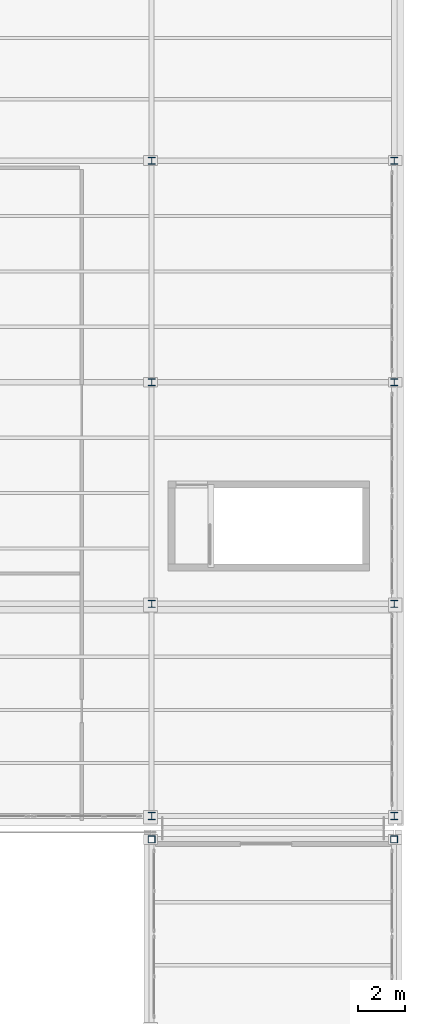
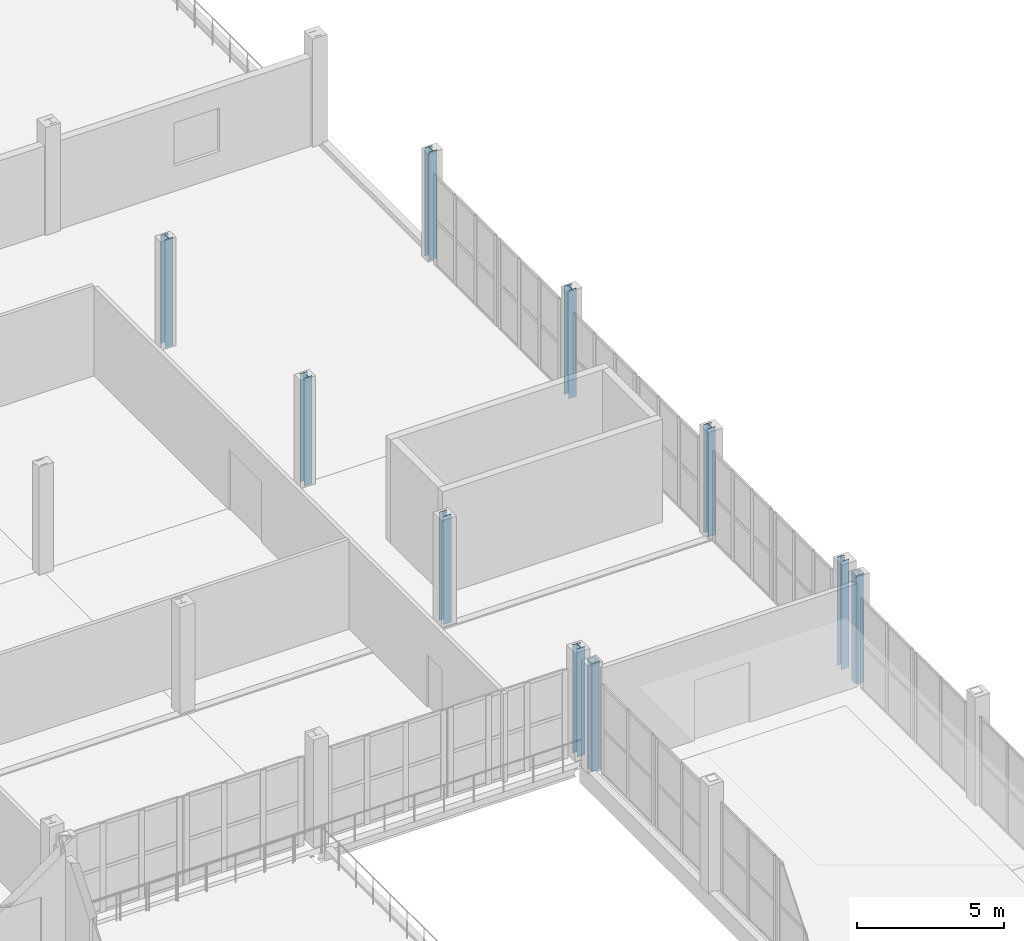
# One storey, part 13 of 156: 10 columns.
"""IFC4 building model written with IfcOpenShell, lengths in metres."""

from ifc_helpers import new_model, si_unit, direction, frame, origin, origin_2d, place, context, subcontext, project, spatial, hollow_rectangle, i_section, extrude, material, material_profile, profile_set, type_object, element, save


model = new_model("IFC4")

# Units and contexts
model_context = context("Model", 3, precision=1e-05, world=origin(), true_north=direction((0.0, 1.0)))
body_context = subcontext(model_context, "Body", "Model", "MODEL_VIEW")
ifc_project = project(units=[si_unit("LENGTHUNIT", "METRE"), si_unit("AREAUNIT", "SQUARE_METRE"), si_unit("VOLUMEUNIT", "CUBIC_METRE"), si_unit("PLANEANGLEUNIT", "RADIAN"), si_unit("MASSUNIT", "GRAM", prefix="KILO")], contexts=[model_context])

# Site, building, storey
site_placement = place(None, origin())
site = spatial("IfcSite", under=ifc_project, at=site_placement, CompositionType="ELEMENT")
building_placement = place(site_placement, origin())
building = spatial("IfcBuilding", under=site, at=building_placement, Name="Caurita Quay Ferry Terminal", CompositionType="ELEMENT")
storey_placement = place(building_placement, frame((0.0, 0.0, 5.39990234375)))
storey = spatial("IfcBuildingStorey", under=building, at=storey_placement, Name="L01", CompositionType="ELEMENT", Elevation=5.39990234375)

# Columns
ifc_material_1 = material(Name="Hollow structural steel ASTM A500 Gr. C", Category="steel")
ifc_material_profile_1 = material_profile(ifc_material_1, hollow_rectangle(XDim=0.3046875, YDim=0.3046875, WallThickness=0.01171875, InnerFilletRadius=0.01171875, OuterFilletRadius=0.023681640625, at=origin_2d()), Name="HSS12X12X1/2")
ifc_profile_set_1 = profile_set([ifc_material_profile_1], Name="Hollow structural steel ASTM A500 Gr. C")
column_type_1 = type_object("IfcColumnType", Name="COL-HSS-02", PredefinedType="COLUMN", material=ifc_profile_set_1)
for number, where, z_axis, x_axis, name in (
    (1, (163.60009765625, 33.60009765625, 0.0), (0.0, 0.0, 1.0), (1.0, 0.0, 0.0), "L01 Column V3-BP-18-E"),
    (2, (174.0, 33.60009765625, 0.0), (0.0, 0.0, 1.0), (1.0, 0.0, 0.0), "L01 Column V3-BP-19-E"),
):
    element("IfcColumn", number, at=place(storey_placement, frame(where, z_axis=z_axis, x_axis=x_axis)), inside=storey, type_object=column_type_1, Name=name, PredefinedType="COLUMN", context=body_context, shape_type="SweptSolid", body=[
        extrude(hollow_rectangle(XDim=0.3046875, YDim=0.3046875, WallThickness=0.01171875, InnerFilletRadius=0.01171875, OuterFilletRadius=0.023681640625, at=origin_2d()), origin(), (0.0, 0.0, 1.0), 4.5),
    ])
ifc_material_2 = material(Name="Structural steel ASTM A992 Gr. 50", Category="steel")
ifc_material_profile_2 = material_profile(ifc_material_2, i_section(OverallWidth=0.3046875, OverallDepth=0.307373046875, WebThickness=0.010009765625, FlangeThickness=0.015380859375, FilletRadius=0.01513671875, at=origin_2d()), Name="W12X65")
ifc_profile_set_2 = profile_set([ifc_material_profile_2], Name="Structural steel ASTM A992 Gr. 50")
column_type_2 = type_object("IfcColumnType", Name="COL-STL-11", PredefinedType="COLUMN", material=ifc_profile_set_2)
for number, where, z_axis, x_axis, name in (
    (3, (163.60009765625, 34.60009765625, 0.0), (0.0, 0.0, 1.0), (1.0, 0.0, 0.0), "L01 Column V3-HH-18-F"),
    (4, (163.60009765625, 43.699951171875, 0.0), (0.0, 0.0, 1.0), (1.0, 0.0, 0.0), "L01 Column V3-HH-18-G"),
    (5, (163.60009765625, 53.199951171875, 0.0), (0.0, 0.0, 1.0), (1.0, 0.0, 0.0), "L01 Column V3-HH-18-H"),
    (6, (163.60009765625, 62.699951171875, 0.0), (0.0, 0.0, 1.0), (1.0, 0.0, 0.0), "L01 Column V3-HH-18-J"),
    (7, (174.0, 34.60009765625, 0.0), (0.0, 0.0, 1.0), (1.0, 0.0, 0.0), "L01 Column V3-HH-19-F"),
    (8, (174.0, 43.699951171875, 0.0), (0.0, 0.0, 1.0), (1.0, 0.0, 0.0), "L01 Column V3-HH-19-G"),
    (9, (174.0, 53.199951171875, 0.0), (0.0, 0.0, 1.0), (1.0, 0.0, 0.0), "L01 Column V3-HH-19-H"),
    (10, (174.0, 62.699951171875, 0.0), (0.0, 0.0, 1.0), (1.0, 0.0, 0.0), "L01 Column V3-HH-19-J"),
):
    element("IfcColumn", number, at=place(storey_placement, frame(where, z_axis=z_axis, x_axis=x_axis)), inside=storey, type_object=column_type_2, Name=name, PredefinedType="COLUMN", context=body_context, shape_type="SweptSolid", body=[
        extrude(i_section(OverallWidth=0.3046875, OverallDepth=0.307373046875, WebThickness=0.010009765625, FlangeThickness=0.015380859375, FilletRadius=0.01513671875, at=origin_2d()), origin(), (0.0, 0.0, 1.0), 4.5),
    ])

save(model, "model.ifc")
